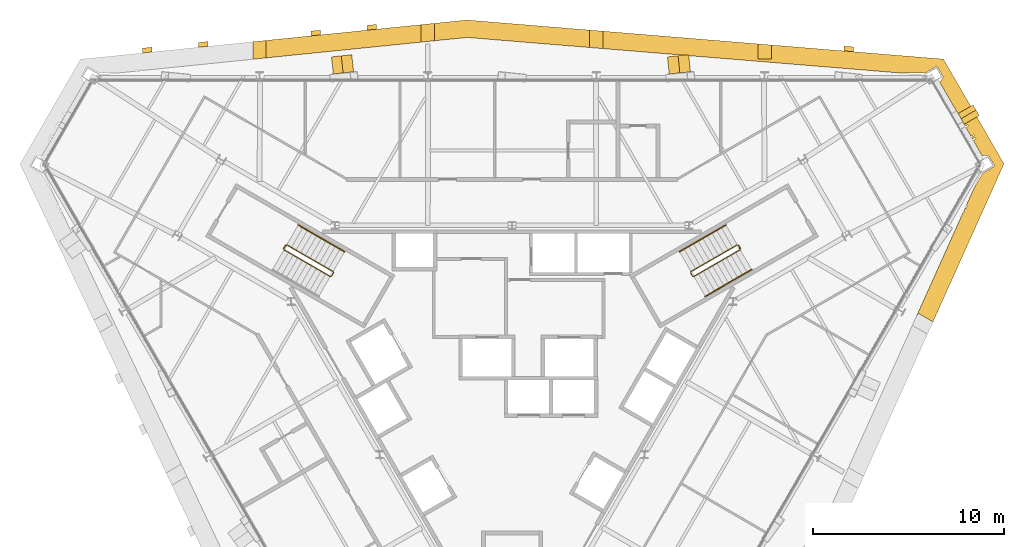
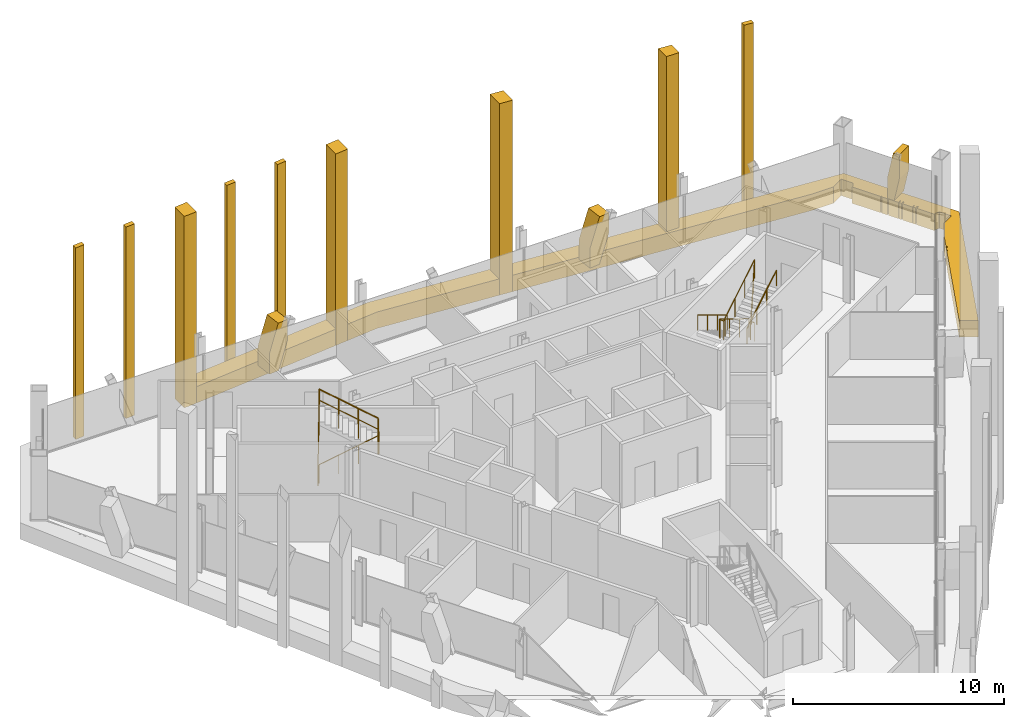
# One storey, part 14 of 14: 15 coverings, 5 railings.
"""IFC4 building model written with IfcOpenShell, lengths in metres."""

import ifcopenshell
import ifcopenshell.guid

model = None  # the IFC model being written
_history = None  # IfcOwnerHistory: only IFC2X3 demands one
_inside = {}  # id of a spatial element -> (the spatial element, [elements in it])
_under = {}  # id of a project, library or spatial element -> (it, [spatial elements below it])
_declared = {}  # id of a project -> (the project, [libraries it declares])
_typed = {}  # id of a type object -> (the type object, [elements of that type])
_made_of = {}  # id of a material, layer set ... -> (it, [elements and type objects made of it])


def new_model(schema):
    """Start an empty IFC model of exactly this schema.

    Asked for "IFC4X3", IfcOpenShell would pick the latest addendum, in which some entities
    have other attributes; the version numbers below select the first issue.
    IFC2X3 requires an IfcOwnerHistory on every rooted entity: one is made here for all.
    """
    global model, _history
    if schema == "IFC4X3":
        model = ifcopenshell.file(schema_version=(4, 3, 0, 0))
    else:
        model = ifcopenshell.file(schema=schema)
    _inside.clear()
    _under.clear()
    _declared.clear()
    _typed.clear()
    _made_of.clear()
    _history = None
    if model.schema == "IFC2X3":
        org = make("IfcOrganization", Name="unknown")
        user = make(
            "IfcPersonAndOrganization",
            ThePerson=make("IfcPerson", FamilyName="unknown"),
            TheOrganization=org,
        )
        app = make(
            "IfcApplication",
            ApplicationDeveloper=org,
            Version="unknown",
            ApplicationFullName="unknown",
            ApplicationIdentifier="unknown",
        )
        _history = make(
            "IfcOwnerHistory",
            OwningUser=user,
            OwningApplication=app,
            ChangeAction="ADDED",
            CreationDate=0,
        )
    return model


def make(cls, **values):
    """One entity of the class cls with the attributes given. An attribute that is None is left unset."""
    return model.create_entity(
        cls, **{name: value for name, value in values.items() if value is not None}
    )


def rooted(cls, **values):
    """An entity with a GlobalId (a new one), such as an element, a storey or a relation."""
    return make(cls, GlobalId=ifcopenshell.guid.new(), OwnerHistory=_history, **values)


def si_unit(unit_type, name, prefix=None):
    """IfcSIUnit, for example si_unit("LENGTHUNIT", "METRE", prefix="MILLI")."""
    return make("IfcSIUnit", UnitType=unit_type, Prefix=prefix, Name=name)


def assignment(units):
    """IfcUnitAssignment: the units of a project."""
    return None if units is None else make("IfcUnitAssignment", Units=units)


def point(xyz):
    """IfcCartesianPoint."""
    return None if xyz is None else make("IfcCartesianPoint", Coordinates=xyz)


def direction(xyz):
    """IfcDirection."""
    return None if xyz is None else make("IfcDirection", DirectionRatios=xyz)


def frame(location, z_axis=None, x_axis=None):
    """IfcAxis2Placement3D, a coordinate frame: its origin and axes. An axis left out is left unset."""
    return make(
        "IfcAxis2Placement3D",
        Location=point(location),
        Axis=direction(z_axis),
        RefDirection=direction(x_axis),
    )


def frame_2d(location, x_axis=None):
    """IfcAxis2Placement2D, a coordinate frame in the plane: its origin and x axis."""
    return make(
        "IfcAxis2Placement2D", Location=point(location), RefDirection=direction(x_axis)
    )


def origin():
    """The frame at (0, 0, 0) with its axes left unset."""
    return frame((0.0, 0.0, 0.0))


def origin_2d():
    """The frame at (0, 0) in the plane with its x axis left unset."""
    return frame_2d((0.0, 0.0))


def place(relative_to, where):
    """IfcLocalPlacement: puts the frame where relative to a parent placement (None: the world)."""
    return make(
        "IfcLocalPlacement", PlacementRelTo=relative_to, RelativePlacement=where
    )


def context(
    kind, dimensions, precision=None, world=None, true_north=None, identifier=None
):
    """IfcGeometricRepresentationContext, for example the 3D "Model" context."""
    return make(
        "IfcGeometricRepresentationContext",
        ContextIdentifier=identifier,
        ContextType=kind,
        CoordinateSpaceDimension=dimensions,
        Precision=precision,
        WorldCoordinateSystem=world,
        TrueNorth=true_north,
    )


def subcontext(parent, identifier, kind, view, scale=None):
    """IfcGeometricRepresentationSubContext, for example "Body" below "Model"."""
    return make(
        "IfcGeometricRepresentationSubContext",
        ContextIdentifier=identifier,
        ContextType=kind,
        ParentContext=parent,
        TargetScale=scale,
        TargetView=view,
    )


def project(units=None, contexts=None):
    """IfcProject with its units and contexts."""
    return rooted(
        "IfcProject",
        Name="project",
        RepresentationContexts=contexts,
        UnitsInContext=assignment(units),
    )


def spatial(cls, under=None, at=None, **own):
    """A site, building, storey or space (cls), placed at a placement, below another one or the project."""
    s = rooted(cls, ObjectPlacement=at, **own)
    if under is not None:
        _under.setdefault(under.id(), (under, []))[1].append(s)
    return s


def polyline(points):
    """IfcPolyline through the points."""
    return make("IfcPolyline", Points=[point(p) for p in points])


def profile(cls, at=None, kind="AREA", **sizes):
    """A parametric profile (cls). Its sizes go by their IFC names, for example OverallWidth=200.0."""
    return make(cls, ProfileType=kind, Position=at, **sizes)


def circle(**sizes):
    """IfcCircleProfileDef."""
    return profile("IfcCircleProfileDef", **sizes)


def outline(outer, holes=None, kind="AREA"):
    """IfcArbitraryClosedProfileDef: a profile drawn as a closed curve; with holes, ...WithVoids."""
    if holes is None:
        return make("IfcArbitraryClosedProfileDef", ProfileType=kind, OuterCurve=outer)
    return make(
        "IfcArbitraryProfileDefWithVoids",
        ProfileType=kind,
        OuterCurve=outer,
        InnerCurves=holes,
    )


def extrude(swept, where, along, depth):
    """IfcExtrudedAreaSolid: the profile swept, set in the frame where, extruded along a direction by depth."""
    return make(
        "IfcExtrudedAreaSolid",
        SweptArea=swept,
        Position=where,
        ExtrudedDirection=direction(along),
        Depth=depth,
    )


def shape(context_of_items, identifier, shape_type, items):
    """IfcShapeRepresentation: the items that make up one representation, for example the "Body"."""
    return make(
        "IfcShapeRepresentation",
        ContextOfItems=context_of_items,
        RepresentationIdentifier=identifier,
        RepresentationType=shape_type,
        Items=items,
    )


def material(Name=None, Category=None):
    """IfcMaterial."""
    return make("IfcMaterial", Name=Name, Category=Category)


def layer(
    of_material, thickness, ventilated=None, Name=None, Category=None, Priority=None
):
    """IfcMaterialLayer: one layer of a wall or slab, of a material (None: an air gap)."""
    return make(
        "IfcMaterialLayer",
        Material=of_material,
        LayerThickness=thickness,
        IsVentilated=ventilated,
        Name=Name,
        Category=Category,
        Priority=Priority,
    )


def layer_set(layers, Name=None):
    """IfcMaterialLayerSet."""
    return make("IfcMaterialLayerSet", MaterialLayers=layers, LayerSetName=Name)


def made_of(thing, what):
    """Note that an element or type object is made of a material, layer set ...; save() writes the relation."""
    if what is not None:
        _made_of.setdefault(what.id(), (what, []))[1].append(thing)
    return thing


def type_object(cls, material=None, **own):
    """A type object (cls), such as IfcWallType, which elements share."""
    return made_of(rooted(cls, **own), material)


def element(
    cls,
    number,
    at=None,
    inside=None,
    cuts=None,
    type_object=None,
    material=None,
    context=None,
    identifier="Body",
    shape_type=None,
    held_by="IfcProductDefinitionShape",
    body=None,
    shapes=None,
    **own,
):
    """One element of the class cls, such as IfcWall. Its Tag is "e" and its number.

    at: its placement. inside: the storey or other place that contains it. cuts: it is an
    opening in that element (IfcRelVoidsElement). A single representation is given by context,
    identifier, shape_type and body (its items); several are given by shapes. held_by: the class
    of the entity that holds the representations. save() writes the other relations.
    """
    e = rooted(cls, Tag="e%d" % number, ObjectPlacement=at, **own)
    if body is not None:
        shapes = [shape(context, identifier, shape_type, body)]
    if shapes is not None:
        e.Representation = make(held_by, Representations=shapes)
    if inside is not None:
        _inside.setdefault(inside.id(), (inside, []))[1].append(e)
    if cuts is not None:
        rooted(
            "IfcRelVoidsElement", RelatingBuildingElement=cuts, RelatedOpeningElement=e
        )
    if type_object is not None:
        _typed.setdefault(type_object.id(), (type_object, []))[1].append(e)
    return made_of(e, material)


def aggregate(whole, parts):
    """IfcRelAggregates: a whole, such as a stair, and the parts it consists of."""
    return rooted("IfcRelAggregates", RelatingObject=whole, RelatedObjects=parts)


def save(model, path):
    """Write the relations noted so far, then the file.

    IfcRelAggregates (storeys below a building ...), IfcRelContainedInSpatialStructure (elements
    in a storey), IfcRelDefinesByType, IfcRelAssociatesMaterial and IfcRelDeclares: one each for
    every whole, place, type object, material and project.
    """
    for whole, parts in _under.values():
        aggregate(whole, parts)
    for where, things in _inside.values():
        rooted(
            "IfcRelContainedInSpatialStructure",
            RelatedElements=things,
            RelatingStructure=where,
        )
    for kind, things in _typed.values():
        rooted("IfcRelDefinesByType", RelatedObjects=things, RelatingType=kind)
    for what, things in _made_of.values():
        rooted("IfcRelAssociatesMaterial", RelatedObjects=things, RelatingMaterial=what)
    for by, libraries in _declared.values():
        rooted("IfcRelDeclares", RelatingContext=by, RelatedDefinitions=libraries)
    model.write(path)


model = new_model("IFC4")

# Units and contexts
model_context = context("Model", 3, precision=1e-05, world=origin(), true_north=direction((0.0, 1.0)))
body_context = subcontext(model_context, "Body", "Model", "MODEL_VIEW")
ifc_project = project(units=[si_unit("LENGTHUNIT", "METRE"), si_unit("AREAUNIT", "SQUARE_METRE"), si_unit("VOLUMEUNIT", "CUBIC_METRE"), si_unit("PLANEANGLEUNIT", "RADIAN"), si_unit("MASSUNIT", "GRAM", prefix="KILO")], contexts=[model_context])

# Site, building, storey
site_placement = place(None, origin())
site = spatial("IfcSite", under=ifc_project, at=site_placement, CompositionType="ELEMENT")
building_placement = place(site_placement, origin())
building = spatial("IfcBuilding", under=site, at=building_placement, Name="Verrane Prism Tower", CompositionType="ELEMENT")
storey_placement = place(building_placement, frame((0.0, 0.0, 217.5)))
storey = spatial("IfcBuildingStorey", under=building, at=storey_placement, Name="L54", CompositionType="ELEMENT", Elevation=217.5)

# Railings
ifc_material_1 = material(Name="Steel A36 rail and posts, no infill", Category="steel")
railing_type_1 = type_object("IfcRailingType", Name="Stair guard 1100 steel rail and posts", PredefinedType="GUARDRAIL", material=ifc_material_1)
railing_1_placement = place(storey_placement, frame((11.78955078125, 6.97998046875, 0.168212890625)))
element("IfcRailing", 1, at=railing_1_placement, inside=storey, type_object=railing_type_1, Name="Stair 1 guard", PredefinedType="GUARDRAIL", context=body_context, shape_type="SweptSolid", body=[
    extrude(circle(Radius=0.02392578125, at=origin_2d()), frame((0.0, 0.0, 1.076171875), z_axis=(-0.742366697286, -0.42866220388, 0.514917859203), x_axis=(0.500049511043, -0.865996816683, 0.0)), (0.0, 0.0, 1.0), 3.266357421875),
    extrude(circle(Radius=0.02392578125, at=origin_2d()), frame((-2.4248046875, -1.400146484375, 2.7578125), z_axis=(-0.259601060869, -0.965715946433, 0.0), x_axis=(0.965715946433, -0.259601060869, 0.0)), (0.0, 0.0, 1.0), 0.070556640625),
    extrude(circle(Radius=0.02392578125, at=origin_2d()), frame((-2.443115234375, -1.46826171875, 2.7578125), z_axis=(0.499158860599, -0.866510491504, 0.0), x_axis=(0.866510491504, 0.499158860599, 0.0)), (0.0, 0.0, 1.0), 0.199951171875),
    extrude(circle(Radius=0.02392578125, at=origin_2d()), frame((-2.34326171875, -1.6416015625, 2.7578125), z_axis=(0.375047803403, -0.100459233054, 0.92154603122), x_axis=(0.258736085224, 0.965948051503, 0.0)), (0.0, 0.0, 1.0), 0.182373046875),
    extrude(circle(Radius=0.02392578125, at=origin_2d()), frame((-2.27490234375, -1.659912109375, 2.92578125), z_axis=(0.742366697286, 0.42866220388, 0.514917859203), x_axis=(-0.500049511043, 0.865996816683, 0.0)), (0.0, 0.0, 1.0), 3.266357421875),
    extrude(circle(Radius=0.02392578125, at=origin_2d()), frame((0.14990234375, -0.259765625, 4.60791015625), z_axis=(-0.021986835041, 0.065104730107, -0.997636182785), x_axis=(-0.947430582667, -0.3199613899, 0.0)), (0.0, 0.0, 1.0), 3.708740234375),
    extrude(circle(Radius=0.02392578125, at=origin_2d()), frame((0.068359375, -0.018310546875, 0.90771484375), z_axis=(0.499158860599, -0.866510491504, 0.0), x_axis=(0.866510491504, 0.499158860599, 0.0)), (0.0, 0.0, 1.0), 0.199951171875),
    extrude(circle(Radius=0.02099609375, at=origin_2d()), origin(), (0.0, 0.0, 1.0), 1.052001953125),
    extrude(circle(Radius=0.02099609375, at=origin_2d()), frame((-0.808349609375, -0.466796875, 0.560546875)), (0.0, 0.0, 1.0), 1.052001953125),
    extrude(circle(Radius=0.02099609375, at=origin_2d()), frame((-1.616455078125, -0.933349609375, 1.121337890625)), (0.0, 0.0, 1.0), 1.052001953125),
    extrude(circle(Radius=0.02099609375, at=origin_2d()), frame((-2.4248046875, -1.400146484375, 1.681884765625)), (0.0, 0.0, 1.0), 1.052001953125),
    extrude(circle(Radius=0.02099609375, at=origin_2d()), frame((-2.443115234375, -1.46826171875, 1.681884765625)), (0.0, 0.0, 1.0), 1.052001953125),
    extrude(circle(Radius=0.02099609375, at=origin_2d()), frame((-2.34326171875, -1.6416015625, 1.681884765625)), (0.0, 0.0, 1.0), 1.052001953125),
    extrude(circle(Radius=0.02099609375, at=origin_2d()), frame((-2.27490234375, -1.659912109375, 1.849853515625)), (0.0, 0.0, 1.0), 1.052001953125),
    extrude(circle(Radius=0.02099609375, at=origin_2d()), frame((-1.466552734375, -1.193115234375, 2.410400390625)), (0.0, 0.0, 1.0), 1.052001953125),
    extrude(circle(Radius=0.02099609375, at=origin_2d()), frame((-0.658447265625, -0.7265625, 2.97119140625)), (0.0, 0.0, 1.0), 1.052001953125),
    extrude(circle(Radius=0.02099609375, at=origin_2d()), frame((0.14990234375, -0.259765625, 3.53173828125)), (0.0, 0.0, 1.0), 1.052001953125),
    extrude(circle(Radius=0.02099609375, at=origin_2d()), frame((0.12939453125, -0.199462890625, 2.606689453125)), (0.0, 0.0, 1.0), 1.052001953125),
    extrude(circle(Radius=0.02099609375, at=origin_2d()), frame((0.109130859375, -0.13916015625, 1.681640625)), (0.0, 0.0, 1.0), 1.052001953125),
    extrude(circle(Radius=0.02099609375, at=origin_2d()), frame((0.0888671875, -0.07861328125, 0.7568359375)), (0.0, 0.0, 1.0), 1.052001953125),
    extrude(circle(Radius=0.02099609375, at=origin_2d()), frame((0.068359375, -0.018310546875, -0.168212890625)), (0.0, 0.0, 1.0), 1.052001953125),
    extrude(circle(Radius=0.02099609375, at=origin_2d()), frame((0.168212890625, -0.191650390625, -0.168212890625)), (0.0, 0.0, 1.0), 1.052001953125),
])
railing_2_placement = place(storey_placement, frame((-11.939453125, 6.72021484375, 0.168212890625)))
element("IfcRailing", 2, at=railing_2_placement, inside=storey, type_object=railing_type_1, Name="Stair 2 guard", PredefinedType="GUARDRAIL", context=body_context, shape_type="SweptSolid", body=[
    extrude(circle(Radius=0.02392578125, at=origin_2d()), frame((0.0, 0.0, 1.076171875), z_axis=(0.742366697286, -0.42866220388, 0.514917859203), x_axis=(0.500049511043, 0.865996816683, 0.0)), (0.0, 0.0, 1.0), 3.266357421875),
    extrude(circle(Radius=0.02392578125, at=origin_2d()), frame((2.4248046875, -1.400146484375, 2.7578125), z_axis=(0.965948051503, 0.258736085224, 0.0), x_axis=(-0.258736085224, 0.965948051503, 0.0)), (0.0, 0.0, 1.0), 0.07080078125),
    extrude(circle(Radius=0.02392578125, at=origin_2d()), frame((2.4931640625, -1.3818359375, 2.7578125), z_axis=(0.499158860599, 0.866510491504, 0.0), x_axis=(-0.866510491504, 0.499158860599, 0.0)), (0.0, 0.0, 1.0), 0.199951171875),
    extrude(circle(Radius=0.02392578125, at=origin_2d()), frame((2.593017578125, -1.20849609375, 2.7578125), z_axis=(-0.10050964758, 0.373895888998, 0.922008500467), x_axis=(-0.965715946433, -0.259601060869, 0.0)), (0.0, 0.0, 1.0), 0.18212890625),
    extrude(circle(Radius=0.02392578125, at=origin_2d()), frame((2.57470703125, -1.140380859375, 2.92578125), z_axis=(-0.742366697286, 0.42866220388, 0.514917859203), x_axis=(-0.500049511043, -0.865996816683, 0.0)), (0.0, 0.0, 1.0), 3.266357421875),
    extrude(circle(Radius=0.02392578125, at=origin_2d()), frame((0.14990234375, 0.259765625, 4.60791015625), z_axis=(-0.04535595117, -0.051675503147, -0.99763343973), x_axis=(0.751567565678, -0.659656118156, 0.0)), (0.0, 0.0, 1.0), 3.708740234375),
    extrude(circle(Radius=0.02392578125, at=origin_2d()), frame((-0.018310546875, 0.068115234375, 0.90771484375), z_axis=(0.499158860599, 0.866510491504, 0.0), x_axis=(-0.866510491504, 0.499158860599, 0.0)), (0.0, 0.0, 1.0), 0.199951171875),
    extrude(circle(Radius=0.02099609375, at=origin_2d()), origin(), (0.0, 0.0, 1.0), 1.052001953125),
    extrude(circle(Radius=0.02099609375, at=origin_2d()), frame((0.808349609375, -0.466796875, 0.560546875)), (0.0, 0.0, 1.0), 1.052001953125),
    extrude(circle(Radius=0.02099609375, at=origin_2d()), frame((1.616455078125, -0.933349609375, 1.121337890625)), (0.0, 0.0, 1.0), 1.052001953125),
    extrude(circle(Radius=0.02099609375, at=origin_2d()), frame((2.4248046875, -1.400146484375, 1.681884765625)), (0.0, 0.0, 1.0), 1.052001953125),
    extrude(circle(Radius=0.02099609375, at=origin_2d()), frame((2.4931640625, -1.3818359375, 1.681884765625)), (0.0, 0.0, 1.0), 1.052001953125),
    extrude(circle(Radius=0.02099609375, at=origin_2d()), frame((2.593017578125, -1.20849609375, 1.681884765625)), (0.0, 0.0, 1.0), 1.052001953125),
    extrude(circle(Radius=0.02099609375, at=origin_2d()), frame((2.57470703125, -1.140380859375, 1.849853515625)), (0.0, 0.0, 1.0), 1.052001953125),
    extrude(circle(Radius=0.02099609375, at=origin_2d()), frame((1.766357421875, -0.673583984375, 2.410400390625)), (0.0, 0.0, 1.0), 1.052001953125),
    extrude(circle(Radius=0.02099609375, at=origin_2d()), frame((0.958251953125, -0.20703125, 2.97119140625)), (0.0, 0.0, 1.0), 1.052001953125),
    extrude(circle(Radius=0.02099609375, at=origin_2d()), frame((0.14990234375, 0.259765625, 3.53173828125)), (0.0, 0.0, 1.0), 1.052001953125),
    extrude(circle(Radius=0.02099609375, at=origin_2d()), frame((0.10791015625, 0.2119140625, 2.606689453125)), (0.0, 0.0, 1.0), 1.052001953125),
    extrude(circle(Radius=0.02099609375, at=origin_2d()), frame((0.06591796875, 0.1640625, 1.681640625)), (0.0, 0.0, 1.0), 1.052001953125),
    extrude(circle(Radius=0.02099609375, at=origin_2d()), frame((0.023681640625, 0.115966796875, 0.7568359375)), (0.0, 0.0, 1.0), 1.052001953125),
    extrude(circle(Radius=0.02099609375, at=origin_2d()), frame((-0.018310546875, 0.068115234375, -0.168212890625)), (0.0, 0.0, 1.0), 1.052001953125),
    extrude(circle(Radius=0.02099609375, at=origin_2d()), frame((0.08154296875, 0.241455078125, -0.168212890625)), (0.0, 0.0, 1.0), 1.052001953125),
])
ifc_material_2 = material(Name="Steel A36 tube", Category="steel")
railing_type_2 = type_object("IfcRailingType", Name="Stair handrail 900 steel tube", PredefinedType="HANDRAIL", material=ifc_material_2)
railing_3_placement = place(storey_placement, frame((11.189453125, 8.01904296875, 0.168212890625)))
element("IfcRailing", 3, at=railing_3_placement, inside=storey, type_object=railing_type_2, Name="Stair 1 handrail", PredefinedType="HANDRAIL", context=body_context, shape_type="SweptSolid", body=[
    extrude(circle(Radius=0.02392578125, at=origin_2d()), frame((0.0, 0.0, 0.8759765625), z_axis=(-0.742390482028, -0.42860119049, 0.514934356695), x_axis=(0.49998411664, -0.866034573852, 0.0)), (0.0, 0.0, 1.0), 3.26611328125),
    extrude(circle(Radius=0.02099609375, at=origin_2d()), origin(), (0.0, 0.0, 1.0), 0.851806640625),
    extrude(circle(Radius=0.02099609375, at=origin_2d()), frame((-0.808349609375, -0.466552734375, 0.560546875)), (0.0, 0.0, 1.0), 0.851806640625),
    extrude(circle(Radius=0.02099609375, at=origin_2d()), frame((-1.616455078125, -0.933349609375, 1.121337890625)), (0.0, 0.0, 1.0), 0.851806640625),
    extrude(circle(Radius=0.02099609375, at=origin_2d()), frame((-2.4248046875, -1.39990234375, 1.681884765625)), (0.0, 0.0, 1.0), 0.851806640625),
])
railing_4_placement = place(storey_placement, frame((10.11474609375, 4.28076171875, 2.01806640625)))
element("IfcRailing", 4, at=railing_4_placement, inside=storey, type_object=railing_type_2, Name="Stair 1 handrail", PredefinedType="HANDRAIL", context=body_context, shape_type="SweptSolid", body=[
    extrude(circle(Radius=0.02392578125, at=origin_2d()), frame((0.0, 0.0, 0.8759765625), z_axis=(0.742366697286, 0.42866220388, 0.514917859203), x_axis=(-0.500049511043, 0.865996816683, 0.0)), (0.0, 0.0, 1.0), 3.266357421875),
    extrude(circle(Radius=0.02099609375, at=origin_2d()), origin(), (0.0, 0.0, 1.0), 0.851806640625),
    extrude(circle(Radius=0.02099609375, at=origin_2d()), frame((0.808349609375, 0.466796875, 0.560546875)), (0.0, 0.0, 1.0), 0.851806640625),
    extrude(circle(Radius=0.02099609375, at=origin_2d()), frame((1.616455078125, 0.933349609375, 1.121337890625)), (0.0, 0.0, 1.0), 0.851806640625),
    extrude(circle(Radius=0.02099609375, at=origin_2d()), frame((2.4248046875, 1.400146484375, 1.681884765625)), (0.0, 0.0, 1.0), 0.851806640625),
])
railing_5_placement = place(storey_placement, frame((-8.7646484375, 6.619140625, 2.01806640625)))
element("IfcRailing", 5, at=railing_5_placement, inside=storey, type_object=railing_type_2, Name="Stair 2 handrail", PredefinedType="HANDRAIL", context=body_context, shape_type="SweptSolid", body=[
    extrude(circle(Radius=0.02392578125, at=origin_2d()), frame((0.0, 0.0, 0.8759765625), z_axis=(-0.742390482028, 0.42860119049, 0.514934356695), x_axis=(-0.49998411664, -0.866034573852, 0.0)), (0.0, 0.0, 1.0), 3.26611328125),
    extrude(circle(Radius=0.02099609375, at=origin_2d()), origin(), (0.0, 0.0, 1.0), 0.851806640625),
    extrude(circle(Radius=0.02099609375, at=origin_2d()), frame((-0.808349609375, 0.466552734375, 0.560546875)), (0.0, 0.0, 1.0), 0.851806640625),
    extrude(circle(Radius=0.02099609375, at=origin_2d()), frame((-1.616455078125, 0.933349609375, 1.121337890625)), (0.0, 0.0, 1.0), 0.851806640625),
    extrude(circle(Radius=0.02099609375, at=origin_2d()), frame((-2.4248046875, 1.39990234375, 1.681884765625)), (0.0, 0.0, 1.0), 0.851806640625),
])

# Coverings
ifc_material_3 = material(Name="Warm limestone cladding", Category="masonry")
ifc_layer_1 = layer(ifc_material_3, 0.89990234375)
ifc_layer_set_1 = layer_set([ifc_layer_1], Name="Stone brace fin 900")
covering_type_1 = type_object("IfcCoveringType", Name="Stone brace fin 900", PredefinedType="CLADDING", material=ifc_layer_set_1)
covering_1_placement = place(storey_placement, frame((8.179443359375, 16.3642578125, 0.0), z_axis=(0.0, 0.0, 1.0), x_axis=(0.994630614528, 0.103488843087, 0.0)))
element("IfcCovering", 6, at=covering_1_placement, inside=storey, type_object=covering_type_1, Name="Stone brace fin N2 L54", PredefinedType="CLADDING", context=body_context, shape_type="SweptSolid", body=[
    extrude(outline(polyline([(1.11572265625, 2.75), (0.55908203125, 2.75), (0.0, 1.148681640625), (0.0, 0.0), (0.55224609375, 0.0), (1.11572265625, 1.6142578125), (1.11572265625, 2.75)])), frame((0.0, 0.449951171875, 0.0), z_axis=(0.0, -1.0, 0.0), x_axis=(1.0, 0.0, 0.0)), (0.0, 0.0, 1.0), 0.89990234375),
])
covering_2_placement = place(storey_placement, frame((-9.4013671875, 16.364013671875, 0.0), z_axis=(0.0, 0.0, 1.0), x_axis=(0.994132172763, 0.108172191791, 0.0)))
element("IfcCovering", 7, at=covering_2_placement, inside=storey, type_object=covering_type_1, Name="Stone brace fin N4 L54", PredefinedType="CLADDING", context=body_context, shape_type="SweptSolid", body=[
    extrude(outline(polyline([(1.067626953125, 2.75), (0.5166015625, 2.75), (0.0, 1.20361328125), (0.0, 0.0), (0.546875, 0.0), (1.067626953125, 1.55908203125), (1.067626953125, 2.75)])), frame((0.0, 0.449951171875, 0.0), z_axis=(0.0, -1.0, 0.0), x_axis=(1.0, 0.0, 0.0)), (0.0, 0.0, 1.0), 0.89990234375),
])
covering_3_placement = place(storey_placement, frame((23.735595703125, 14.075927734375, 0.0), z_axis=(0.0, 0.0, 1.0), x_axis=(0.498981625001, -0.866612565055, 0.0)))
element("IfcCovering", 8, at=covering_3_placement, inside=storey, type_object=covering_type_1, Name="Stone brace fin NE1 L54", PredefinedType="CLADDING", context=body_context, shape_type="SweptSolid", body=[
    extrude(outline(polyline([(0.646728515625, 2.75), (0.310546875, 2.75), (0.0, 1.25732421875), (0.0, 0.0), (0.362548828125, 0.0), (0.646728515625, 1.365478515625), (0.646728515625, 2.75)])), frame((0.0, 0.449951171875, 0.0), z_axis=(0.0, -1.0, 0.0), x_axis=(1.0, 0.0, 0.0)), (0.0, 0.0, 1.0), 0.89990234375),
])
ifc_material_4 = material(Name="Warm limestone cladding", Category="masonry")
covering_type_2 = type_object("IfcCoveringType", Name="Stone mullion pier 500", PredefinedType="CLADDING", material=ifc_material_4)
covering_4_placement = place(storey_placement, frame((0.0, 0.0, -0.949951171875)))
element("IfcCovering", 9, at=covering_4_placement, inside=storey, type_object=covering_type_2, Name="Stone pier SM-N0.1 L54-L56", PredefinedType="CLADDING", context=body_context, shape_type="SweptSolid", body=[
    extrude(outline(polyline([(17.372802734375, 17.124755859375), (17.872802734375, 17.083740234375), (17.872802734375, 17.334716796875), (17.372802734375, 17.375732421875), (17.372802734375, 17.124755859375)])), origin(), (0.0, 0.0, 1.0), 11.099853515625),
])
covering_5_placement = place(storey_placement, frame((0.0, 0.0, -0.949951171875)))
element("IfcCovering", 10, at=covering_5_placement, inside=storey, type_object=covering_type_2, Name="Stone pier SM-N3.1 L54-L56", PredefinedType="CLADDING", context=body_context, shape_type="SweptSolid", body=[
    extrude(outline(polyline([(-7.5927734375, 18.211669921875), (-7.0927734375, 18.262451171875), (-7.0927734375, 18.513671875), (-7.5927734375, 18.462890625), (-7.5927734375, 18.211669921875)])), origin(), (0.0, 0.0, 1.0), 11.099853515625),
])
covering_6_placement = place(storey_placement, frame((0.0, 0.0, -0.949951171875)))
element("IfcCovering", 11, at=covering_6_placement, inside=storey, type_object=covering_type_2, Name="Stone pier SM-N3.2 L54-L56", PredefinedType="CLADDING", context=body_context, shape_type="SweptSolid", body=[
    extrude(outline(polyline([(-10.52978515625, 17.9130859375), (-10.02978515625, 17.9638671875), (-10.02978515625, 18.215087890625), (-10.52978515625, 18.164306640625), (-10.52978515625, 17.9130859375)])), origin(), (0.0, 0.0, 1.0), 11.099853515625),
])
covering_7_placement = place(storey_placement, frame((0.0, 0.0, -0.949951171875)))
element("IfcCovering", 12, at=covering_7_placement, inside=storey, type_object=covering_type_2, Name="Stone pier SM-N4.1 L54-L56", PredefinedType="CLADDING", context=body_context, shape_type="SweptSolid", body=[
    extrude(outline(polyline([(-16.404296875, 17.316162109375), (-15.904296875, 17.366943359375), (-15.904296875, 17.6181640625), (-16.404296875, 17.5673828125), (-16.404296875, 17.316162109375)])), origin(), (0.0, 0.0, 1.0), 11.099853515625),
])
covering_8_placement = place(storey_placement, frame((0.0, 0.0, -0.949951171875)))
element("IfcCovering", 13, at=covering_8_placement, inside=storey, type_object=covering_type_2, Name="Stone pier SM-N4.2 L54-L56", PredefinedType="CLADDING", context=body_context, shape_type="SweptSolid", body=[
    extrude(outline(polyline([(-19.34130859375, 17.017578125), (-18.84130859375, 17.068359375), (-18.84130859375, 17.319580078125), (-19.34130859375, 17.268798828125), (-19.34130859375, 17.017578125)])), origin(), (0.0, 0.0, 1.0), 11.099853515625),
])
ifc_material_5 = material(Name="Warm limestone cladding", Category="masonry")
covering_type_3 = type_object("IfcCoveringType", Name="Stone pier 700", PredefinedType="CLADDING", material=ifc_material_5)
covering_9_placement = place(storey_placement, frame((0.0, 0.0, -0.949951171875)))
element("IfcCovering", 14, at=covering_9_placement, inside=storey, type_object=covering_type_3, Name="Stone pier PC-N1 L54-L56", PredefinedType="CLADDING", context=body_context, shape_type="SweptSolid", body=[
    extrude(outline(polyline([(12.866943359375, 16.714111328125), (13.56689453125, 16.714111328125), (13.56689453125, 17.43701171875), (12.866943359375, 17.494384765625), (12.866943359375, 16.714111328125)])), origin(), (0.0, 0.0, 1.0), 11.099853515625),
])
covering_10_placement = place(storey_placement, frame((0.0, 0.0, -0.949951171875)))
element("IfcCovering", 15, at=covering_10_placement, inside=storey, type_object=covering_type_3, Name="Stone pier PC-N2 L54-L56", PredefinedType="CLADDING", context=body_context, shape_type="SweptSolid", body=[
    extrude(outline(polyline([(4.0556640625, 18.21728515625), (4.0556640625, 17.304443359375), (4.755615234375, 17.2470703125), (4.755615234375, 18.159912109375), (4.0556640625, 18.21728515625)])), origin(), (0.0, 0.0, 1.0), 11.099853515625),
])
covering_11_placement = place(storey_placement, frame((0.0, 0.0, -0.949951171875)))
element("IfcCovering", 16, at=covering_11_placement, inside=storey, type_object=covering_type_3, Name="Stone pier PC-N3 L54-L56", PredefinedType="CLADDING", context=body_context, shape_type="SweptSolid", body=[
    extrude(outline(polyline([(-4.755615234375, 18.5), (-4.755615234375, 17.58544921875), (-4.0556640625, 17.656494140625), (-4.0556640625, 18.571044921875), (-4.755615234375, 18.5)])), origin(), (0.0, 0.0, 1.0), 11.099853515625),
])
covering_12_placement = place(storey_placement, frame((0.0, 0.0, -0.949951171875)))
element("IfcCovering", 17, at=covering_12_placement, inside=storey, type_object=covering_type_3, Name="Stone pier PC-N4 L54-L56", PredefinedType="CLADDING", context=body_context, shape_type="SweptSolid", body=[
    extrude(outline(polyline([(-13.56689453125, 16.714111328125), (-13.32861328125, 16.714111328125), (-12.866943359375, 16.760986328125), (-12.866943359375, 17.675537109375), (-13.56689453125, 17.6044921875), (-13.56689453125, 16.714111328125)])), origin(), (0.0, 0.0, 1.0), 11.099853515625),
])
ifc_material_6 = material(Name="Warm limestone cladding", Category="masonry")
ifc_layer_2 = layer(ifc_material_6, 0.449951171875)
ifc_layer_set_2 = layer_set([ifc_layer_2], Name="Stone spandrel band 450")
covering_type_4 = type_object("IfcCoveringType", Name="Stone spandrel band 450", PredefinedType="CLADDING", material=ifc_layer_set_2)
covering_13_placement = place(storey_placement, frame((0.0, 0.0, -0.949951171875)))
element("IfcCovering", 18, at=covering_13_placement, inside=storey, type_object=covering_type_4, Name="Stone spandrel band L54 part 2", PredefinedType="CLADDING", context=body_context, shape_type="SweptSolid", body=[
    extrude(outline(polyline([(4.755615234375, 18.159912109375), (4.755615234375, 17.2470703125), (20.403076171875, 15.96337890625), (21.60107421875, 15.96337890625), (22.2373046875, 16.330810546875), (22.5673828125, 15.75927734375), (22.54833984375, 15.748291015625), (22.4375, 15.55908203125), (22.363525390625, 15.516357421875), (23.138916015625, 14.17333984375), (23.188232421875, 14.168701171875), (23.181396484375, 14.099609375), (23.330078125, 13.84228515625), (23.4736328125, 13.9248046875), (23.509033203125, 13.86328125), (23.365478515625, 13.780517578125), (23.630859375, 13.321044921875), (23.77392578125, 13.4033203125), (23.79638671875, 13.364501953125), (23.6533203125, 13.2822265625), (23.71484375, 13.175537109375), (23.85791015625, 13.2578125), (23.893310546875, 13.196044921875), (23.75048828125, 13.11376953125), (24.015869140625, 12.654296875), (24.158203125, 12.736083984375), (24.1806640625, 12.697265625), (24.038330078125, 12.615478515625), (24.099853515625, 12.5087890625), (24.2421875, 12.590576171875), (24.277587890625, 12.52880859375), (24.135498046875, 12.447021484375), (24.619140625, 11.609130859375), (24.689453125, 11.64990234375), (24.908447265625, 11.64990234375), (24.927490234375, 11.660888671875), (25.25732421875, 11.089111328125), (24.624267578125, 10.7236328125), (24.182861328125, 9.958984375), (23.764892578125, 9.029052734375), (23.8193359375, 8.997802734375), (23.765625, 8.904296875), (23.720458984375, 8.930419921875), (23.64990234375, 8.773193359375), (23.679931640625, 8.755859375), (23.6240234375, 8.658935546875), (23.603759765625, 8.67041015625), (21.16064453125, 3.2333984375), (21.167236328125, 3.22998046875), (21.26025390625, 3.39111328125), (22.029296875, 2.947265625), (25.744140625, 11.2138671875), (22.577880859375, 16.69775390625), (13.56689453125, 17.43701171875), (13.56689453125, 16.714111328125), (12.866943359375, 16.714111328125), (12.866943359375, 17.494384765625), (4.755615234375, 18.159912109375)])), origin(), (0.0, 0.0, 1.0), 0.949951171875),
])
covering_14_placement = place(storey_placement, frame((0.0, 0.0, -0.949951171875)))
element("IfcCovering", 19, at=covering_14_placement, inside=storey, type_object=covering_type_4, Name="Stone spandrel band L54 part 8", PredefinedType="CLADDING", context=body_context, shape_type="SweptSolid", body=[
    extrude(outline(polyline([(-4.0556640625, 18.571044921875), (-4.0556640625, 17.656494140625), (-2.349609375, 17.830078125), (4.0556640625, 17.304443359375), (4.0556640625, 18.21728515625), (-2.358642578125, 18.74365234375), (-4.0556640625, 18.571044921875)])), origin(), (0.0, 0.0, 1.0), 0.949951171875),
])
covering_15_placement = place(storey_placement, frame((0.0, 0.0, -0.949951171875)))
element("IfcCovering", 20, at=covering_15_placement, inside=storey, type_object=covering_type_4, Name="Stone spandrel band L54 part 9", PredefinedType="CLADDING", context=body_context, shape_type="SweptSolid", body=[
    extrude(outline(polyline([(-12.866943359375, 16.760986328125), (-4.755615234375, 17.58544921875), (-4.755615234375, 18.5), (-7.5927734375, 18.211669921875), (-12.866943359375, 17.675537109375), (-12.866943359375, 16.760986328125)])), origin(), (0.0, 0.0, 1.0), 0.949951171875),
])

save(model, "model.ifc")
